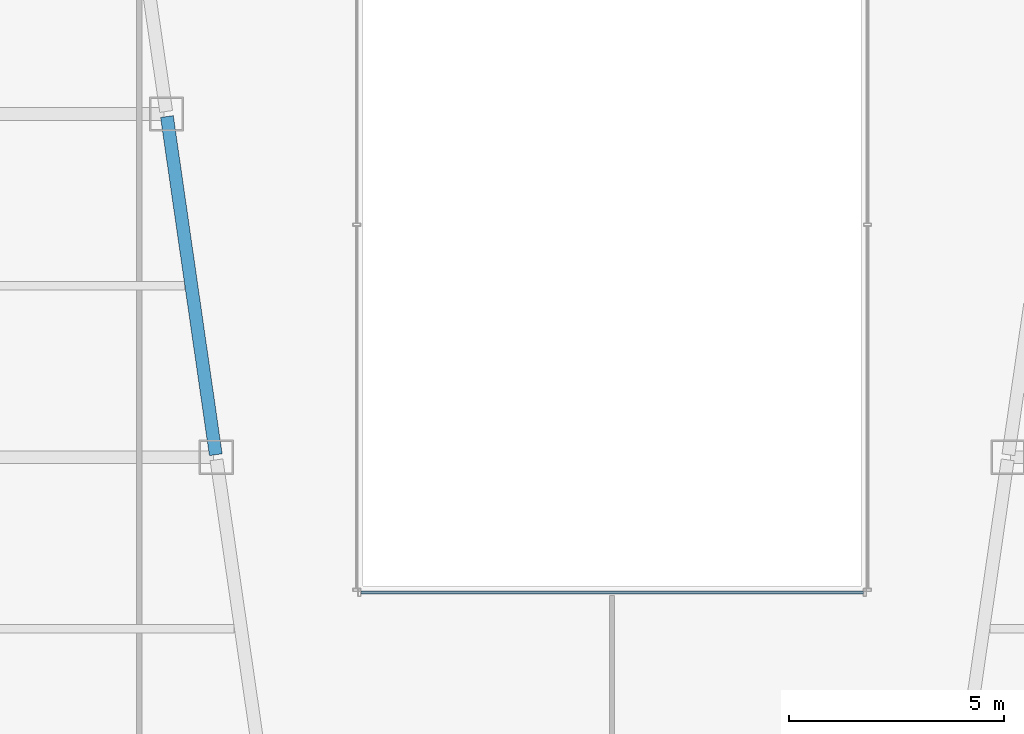
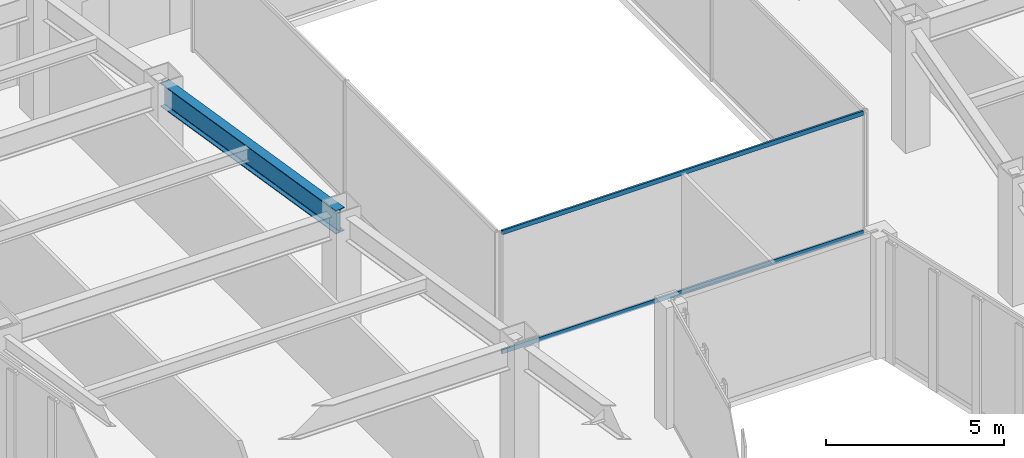
# One storey, part 13 of 47: 2 members, 1 beam, 1 element without a shape of its own.
"""IFC4 building model written with IfcOpenShell, lengths in metres."""

from ifc_helpers import new_model, si_unit, direction, frame, origin, origin_2d, place, context, subcontext, project, spatial, hollow_rectangle, i_section, extrude, material, material_profile, profile_set, type_object, element, aggregate, save


model = new_model("IFC4")

# Units and contexts
model_context = context("Model", 3, precision=1e-05, world=origin(), true_north=direction((0.0, 1.0)))
body_context = subcontext(model_context, "Body", "Model", "MODEL_VIEW")
ifc_project = project(units=[si_unit("LENGTHUNIT", "METRE"), si_unit("AREAUNIT", "SQUARE_METRE"), si_unit("VOLUMEUNIT", "CUBIC_METRE"), si_unit("PLANEANGLEUNIT", "RADIAN"), si_unit("MASSUNIT", "GRAM", prefix="KILO")], contexts=[model_context])

# Site, building, storey
site_placement = place(None, origin())
site = spatial("IfcSite", under=ifc_project, at=site_placement, CompositionType="ELEMENT")
building_placement = place(site_placement, origin())
building = spatial("IfcBuilding", under=site, at=building_placement, Name="Saevonmaru Cultural Tower", CompositionType="ELEMENT")
storey_placement = place(building_placement, frame((0.0, 0.0, 69.199951171875)))
storey = spatial("IfcBuildingStorey", under=building, at=storey_placement, Name="L14", CompositionType="ELEMENT", Elevation=69.199951171875)

# Beam
ifc_material_1 = material(Name="Steel SM420", Category="steel")
ifc_material_profile_1 = material_profile(ifc_material_1, i_section(OverallWidth=0.300048828125, OverallDepth=0.800048828125, WebThickness=0.013916015625, FlangeThickness=0.02587890625, FilletRadius=0.028076171875, at=origin_2d()), Name="H-800x300x14x26")
ifc_profile_set_1 = profile_set([ifc_material_profile_1], Name="Steel SM420")
beam_type = type_object("IfcBeamType", Name="BM-G-H800", PredefinedType="BEAM", material=ifc_profile_set_1)
beam_placement = place(storey_placement, frame((20.763427734375, 24.059326171875, 3.75), z_axis=(-0.142902032203, 0.989736838353, 0.0), x_axis=(-0.989736838353, -0.142902032203, 0.0)))
element("IfcBeam", 1, at=beam_placement, inside=storey, type_object=beam_type, Name="L14 West Atrium Girder 4", PredefinedType="BEAM", context=body_context, shape_type="SweptSolid", body=[
    extrude(i_section(OverallWidth=0.300048828125, OverallDepth=0.800048828125, WebThickness=0.013916015625, FlangeThickness=0.02587890625, FilletRadius=0.028076171875, at=origin_2d()), origin(), (0.0, 0.0, 1.0), 7.963134765625),
])

# Curtain wall, members
ifc_material_2 = material(Name="Satin Bronze Anodised Aluminium", Category="aluminium")
curtain_wall_type = type_object("IfcCurtainWallType", Name="CW-ATR-GLZ", PredefinedType="NOTDEFINED", material=ifc_material_2)
curtain_wall_placement = place(storey_placement, origin())
curtain_wall = element("IfcCurtainWall", 2, at=curtain_wall_placement, inside=storey, type_object=curtain_wall_type, Name="L14 Vertical Atrium Glazed Smoke Screen 1", PredefinedType="NOTDEFINED")
ifc_material_profile_2 = material_profile(ifc_material_2, hollow_rectangle(XDim=0.06494140625, YDim=0.14990234375, WallThickness=0.00390625, at=origin_2d()), Name="ALU-TRAN-150x65x4")
ifc_profile_set_2 = profile_set([ifc_material_profile_2], Name="Satin Bronze Anodised Aluminium")
member_type = type_object("IfcMemberType", Name="TR-CW-INT-150x65", PredefinedType="USERDEFINED", material=ifc_profile_set_2)
member_1_placement = place(storey_placement, frame((24.142578125, 20.85009765625, 0.032470703125), z_axis=(1.0, 0.0, 0.0), x_axis=(0.0, 1.0, 0.0)))
member_1 = element("IfcMember", 3, at=member_1_placement, type_object=member_type, Name="CW-ATR-L14-1 transom 1.1", ObjectType="TRANSOM", PredefinedType="USERDEFINED", context=body_context, shape_type="SweptSolid", body=[
    extrude(hollow_rectangle(XDim=0.06494140625, YDim=0.14990234375, WallThickness=0.00390625, at=origin_2d()), origin(), (0.0, 0.0, 1.0), 11.71484375),
])
member_2_placement = place(storey_placement, frame((24.142578125, 20.85009765625, 4.117431640625), z_axis=(1.0, 0.0, 0.0), x_axis=(0.0, 1.0, 0.0)))
member_2 = element("IfcMember", 4, at=member_2_placement, type_object=member_type, Name="CW-ATR-L14-1 transom 1.2", ObjectType="TRANSOM", PredefinedType="USERDEFINED", context=body_context, shape_type="SweptSolid", body=[
    extrude(hollow_rectangle(XDim=0.06494140625, YDim=0.14990234375, WallThickness=0.00390625, at=origin_2d()), origin(), (0.0, 0.0, 1.0), 11.71484375),
])
aggregate(curtain_wall, [member_1, member_2])

save(model, "model.ifc")
